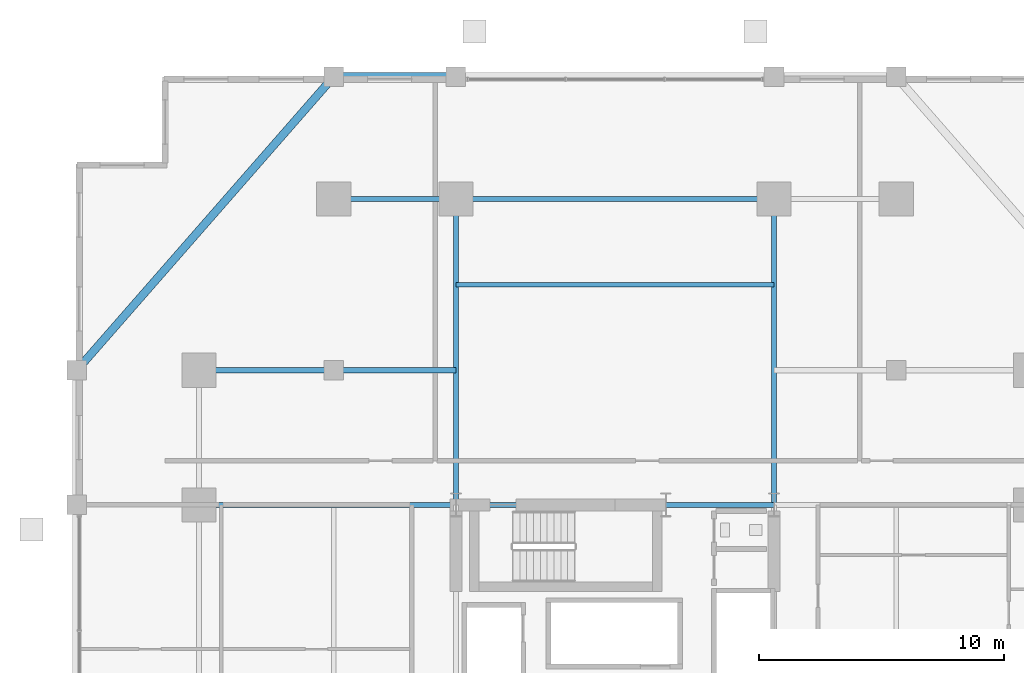
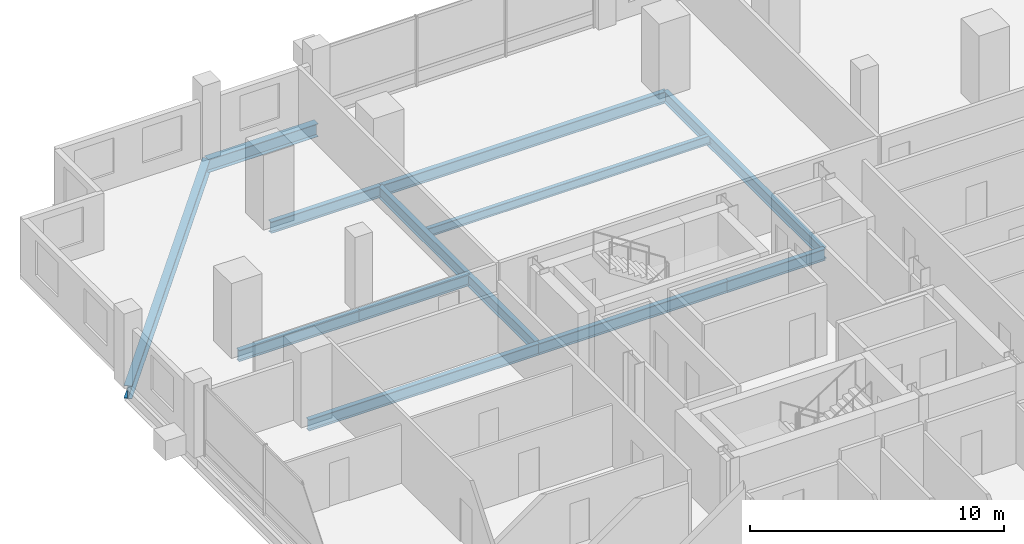
# One storey, part 12 of 23: 12 beams.
"""IFC4 building model written with IfcOpenShell, lengths in metres."""

from ifc_helpers import new_model, si_unit, direction, frame, origin, origin_2d, place, context, subcontext, project, spatial, i_section, extrude, material, material_profile, profile_set, type_object, element, save


model = new_model("IFC4")

# Units and contexts
model_context = context("Model", 3, precision=1e-05, world=origin(), true_north=direction((0.0, 1.0)))
body_context = subcontext(model_context, "Body", "Model", "MODEL_VIEW")
ifc_project = project(units=[si_unit("LENGTHUNIT", "METRE"), si_unit("AREAUNIT", "SQUARE_METRE"), si_unit("VOLUMEUNIT", "CUBIC_METRE"), si_unit("PLANEANGLEUNIT", "RADIAN"), si_unit("MASSUNIT", "GRAM", prefix="KILO")], contexts=[model_context])

# Site, building, storey
site_placement = place(None, origin())
site = spatial("IfcSite", under=ifc_project, at=site_placement, CompositionType="ELEMENT")
building_placement = place(site_placement, origin())
building = spatial("IfcBuilding", under=site, at=building_placement, Name="Barlavira Tower and Art Museum", CompositionType="ELEMENT")
storey_placement = place(building_placement, frame((0.0, 0.0, 75.60009765625)))
storey = spatial("IfcBuildingStorey", under=building, at=storey_placement, Name="L18", CompositionType="ELEMENT", Elevation=75.60009765625)

# Beams
ifc_material = material(Name="Steel S355", Category="steel")
ifc_material_profile_1 = material_profile(ifc_material, i_section(OverallWidth=0.327880859375, OverallDepth=0.62890625, WebThickness=0.013916015625, FlangeThickness=0.021484375, at=origin_2d()), Name="W610x174.0")
ifc_profile_set_1 = profile_set([ifc_material_profile_1], Name="Steel S355")
beam_type_1 = type_object("IfcBeamType", Name="Perimeter Spandrel Edge Beam W610x174 Steel S355", PredefinedType="SPANDREL", material=ifc_profile_set_1)
beam_1_placement = place(storey_placement, frame((-11.5, 25.0, -0.53466796875), z_axis=(1.0, 0.0, 0.0), x_axis=(0.0, 1.0, 0.0)))
element("IfcBeam", 1, at=beam_1_placement, inside=storey, type_object=beam_type_1, Name="L18 Spandrel 11", PredefinedType="SPANDREL", context=body_context, shape_type="SweptSolid", body=[
    extrude(i_section(OverallWidth=0.327880859375, OverallDepth=0.62890625, WebThickness=0.013916015625, FlangeThickness=0.021484375, at=origin_2d()), origin(), (0.0, 0.0, 1.0), 5.0),
])
beam_2_placement = place(storey_placement, frame((-11.5, 25.0, -0.53466796875), z_axis=(-0.658504607869, -0.752576694707, 0.0), x_axis=(0.752576694707, -0.658504607869, 0.0)))
element("IfcBeam", 2, at=beam_2_placement, inside=storey, type_object=beam_type_1, Name="L18 Spandrel 12", PredefinedType="SPANDREL", context=body_context, shape_type="SweptSolid", body=[
    extrude(i_section(OverallWidth=0.327880859375, OverallDepth=0.62890625, WebThickness=0.013916015625, FlangeThickness=0.021484375, at=origin_2d()), origin(), (0.0, 0.0, 1.0), 15.9453125),
])
ifc_material_profile_2 = material_profile(ifc_material, i_section(OverallWidth=0.180908203125, OverallDepth=0.4169921875, WebThickness=0.010986328125, FlangeThickness=0.018310546875, at=origin_2d()), Name="W410x85.0")
ifc_profile_set_2 = profile_set([ifc_material_profile_2], Name="Steel S355")
beam_type_2 = type_object("IfcBeamType", Name="Zone 1 Composite Floor Joist W410x85 Steel S355", PredefinedType="JOIST", material=ifc_profile_set_2)
beam_3_placement = place(storey_placement, frame((-6.5, 16.5, -0.4287109375), z_axis=(1.0, 0.0, 0.0), x_axis=(0.0, 1.0, 0.0)))
element("IfcBeam", 3, at=beam_3_placement, inside=storey, type_object=beam_type_2, Name="L18 Joist C2", PredefinedType="JOIST", context=body_context, shape_type="SweptSolid", body=[
    extrude(i_section(OverallWidth=0.180908203125, OverallDepth=0.4169921875, WebThickness=0.010986328125, FlangeThickness=0.018310546875, at=origin_2d()), origin(), (0.0, 0.0, 1.0), 13.0),
])
ifc_material_profile_3 = material_profile(ifc_material, i_section(OverallWidth=0.214111328125, OverallDepth=0.549072265625, WebThickness=0.0146484375, FlangeThickness=0.023681640625, at=origin_2d()), Name="W530x138.0")
ifc_profile_set_3 = profile_set([ifc_material_profile_3], Name="Steel S355")
beam_type_3 = type_object("IfcBeamType", Name="Zone 1 Primary Floor Girder W530x138 Steel S355", PredefinedType="BEAM", material=ifc_profile_set_3)
beam_4_placement = place(storey_placement, frame((-6.5, 7.5, -0.49462890625), z_axis=(1.0, 0.0, 0.0), x_axis=(0.0, 1.0, 0.0)))
element("IfcBeam", 4, at=beam_4_placement, inside=storey, type_object=beam_type_3, Name="L18 Girder C-N1", PredefinedType="BEAM", context=body_context, shape_type="SweptSolid", body=[
    extrude(i_section(OverallWidth=0.214111328125, OverallDepth=0.549072265625, WebThickness=0.0146484375, FlangeThickness=0.023681640625, at=origin_2d()), origin(), (0.0, 0.0, 1.0), 8.580078125),
])
beam_5_placement = place(storey_placement, frame((2.080078125, 7.5, -0.49462890625), z_axis=(1.0, 0.0, 0.0), x_axis=(0.0, 1.0, 0.0)))
element("IfcBeam", 5, at=beam_5_placement, inside=storey, type_object=beam_type_3, Name="L18 Girder C-N2", PredefinedType="BEAM", context=body_context, shape_type="SweptSolid", body=[
    extrude(i_section(OverallWidth=0.214111328125, OverallDepth=0.549072265625, WebThickness=0.0146484375, FlangeThickness=0.023681640625, at=origin_2d()), origin(), (0.0, 0.0, 1.0), 4.419921875),
])
beam_6_placement = place(storey_placement, frame((-11.5, 20.0, -0.49462890625), z_axis=(1.0, 0.0, 0.0), x_axis=(0.0, 1.0, 0.0)))
element("IfcBeam", 6, at=beam_6_placement, inside=storey, type_object=beam_type_3, Name="L18 Girder M-N1", PredefinedType="BEAM", context=body_context, shape_type="SweptSolid", body=[
    extrude(i_section(OverallWidth=0.214111328125, OverallDepth=0.549072265625, WebThickness=0.0146484375, FlangeThickness=0.023681640625, at=origin_2d()), origin(), (0.0, 0.0, 1.0), 5.0),
])
beam_7_placement = place(storey_placement, frame((-6.5, 20.0, -0.49462890625), z_axis=(1.0, 0.0, 0.0), x_axis=(0.0, 1.0, 0.0)))
element("IfcBeam", 7, at=beam_7_placement, inside=storey, type_object=beam_type_3, Name="L18 Girder M-N2", PredefinedType="BEAM", context=body_context, shape_type="SweptSolid", body=[
    extrude(i_section(OverallWidth=0.214111328125, OverallDepth=0.549072265625, WebThickness=0.0146484375, FlangeThickness=0.023681640625, at=origin_2d()), origin(), (0.0, 0.0, 1.0), 13.0),
])
for number, where, z_axis, x_axis, name in (
    (8, (-6.5, 7.5, -0.49462890625), (0.0, 1.0, 0.0), (-1.0, 0.0, 0.0), "L18 Girder R-N1"),
    (9, (6.5, 7.5, -0.49462890625), (0.0, 1.0, 0.0), (-1.0, 0.0, 0.0), "L18 Girder R-N2"),
):
    element("IfcBeam", number, at=place(storey_placement, frame(where, z_axis=z_axis, x_axis=x_axis)), inside=storey, type_object=beam_type_3, Name=name, PredefinedType="BEAM", context=body_context, shape_type="SweptSolid", body=[
        extrude(i_section(OverallWidth=0.214111328125, OverallDepth=0.549072265625, WebThickness=0.0146484375, FlangeThickness=0.023681640625, at=origin_2d()), origin(), (0.0, 0.0, 1.0), 12.5),
    ])
beam_8_placement = place(storey_placement, frame((-17.0, 7.5, -0.49462890625), z_axis=(1.0, 0.0, 0.0), x_axis=(0.0, 1.0, 0.0)))
element("IfcBeam", 10, at=beam_8_placement, inside=storey, type_object=beam_type_3, Name="L18 Girder R-W2", PredefinedType="BEAM", context=body_context, shape_type="SweptSolid", body=[
    extrude(i_section(OverallWidth=0.214111328125, OverallDepth=0.549072265625, WebThickness=0.0146484375, FlangeThickness=0.023681640625, at=origin_2d()), origin(), (0.0, 0.0, 1.0), 10.5),
])
beam_9_placement = place(storey_placement, frame((-17.0, 13.0, -0.49462890625), z_axis=(1.0, 0.0, 0.0), x_axis=(0.0, 1.0, 0.0)))
element("IfcBeam", 11, at=beam_9_placement, inside=storey, type_object=beam_type_3, Name="L18 Girder I-N1", PredefinedType="BEAM", context=body_context, shape_type="SweptSolid", body=[
    extrude(i_section(OverallWidth=0.214111328125, OverallDepth=0.549072265625, WebThickness=0.0146484375, FlangeThickness=0.023681640625, at=origin_2d()), origin(), (0.0, 0.0, 1.0), 5.5),
])
beam_10_placement = place(storey_placement, frame((-11.5, 13.0, -0.49462890625), z_axis=(1.0, 0.0, 0.0), x_axis=(0.0, 1.0, 0.0)))
element("IfcBeam", 12, at=beam_10_placement, inside=storey, type_object=beam_type_3, Name="L18 Girder I-N2", PredefinedType="BEAM", context=body_context, shape_type="SweptSolid", body=[
    extrude(i_section(OverallWidth=0.214111328125, OverallDepth=0.549072265625, WebThickness=0.0146484375, FlangeThickness=0.023681640625, at=origin_2d()), origin(), (0.0, 0.0, 1.0), 5.0),
])

save(model, "model.ifc")
